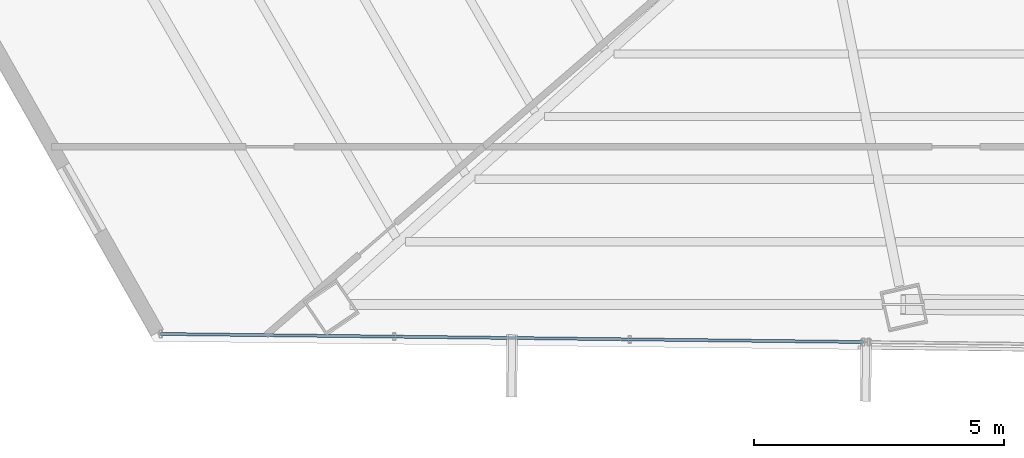
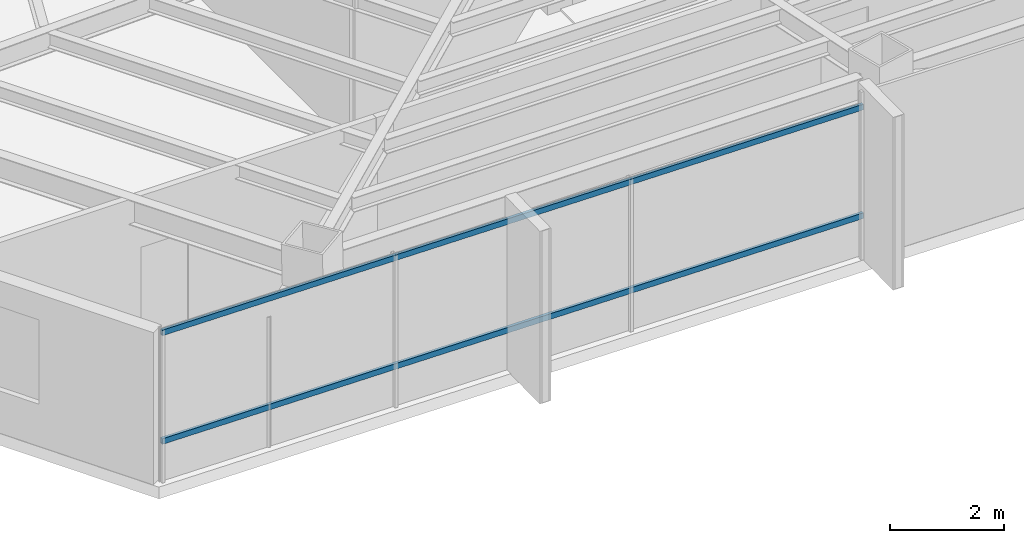
# One storey, part 4 of 40: 2 members, 1 element without a shape of its own.
"""IFC4 building model written with IfcOpenShell, lengths in metres."""

from ifc_helpers import new_model, si_unit, direction, frame, origin, origin_2d, place, context, subcontext, project, spatial, hollow_rectangle, extrude, source, transform, mapped, material, material_profile, profile_set, type_object, type_shapes, element, aggregate, save


model = new_model("IFC4")

# Units and contexts
model_context = context("Model", 3, precision=1e-05, world=origin(), true_north=direction((0.0, 1.0)))
body_context = subcontext(model_context, "Body", "Model", "MODEL_VIEW")
ifc_project = project(units=[si_unit("LENGTHUNIT", "METRE"), si_unit("AREAUNIT", "SQUARE_METRE"), si_unit("VOLUMEUNIT", "CUBIC_METRE"), si_unit("PLANEANGLEUNIT", "RADIAN"), si_unit("MASSUNIT", "GRAM", prefix="KILO")], contexts=[model_context])

# Site, building, storey
site_placement = place(None, origin())
site = spatial("IfcSite", under=ifc_project, at=site_placement, CompositionType="ELEMENT")
building_placement = place(site_placement, origin())
building = spatial("IfcBuilding", under=site, at=building_placement, Name="Caelisora Broadcast Tower", CompositionType="ELEMENT")
storey_placement = place(building_placement, frame((0.0, 0.0, 216.89990234375)))
storey = spatial("IfcBuildingStorey", under=building, at=storey_placement, Name="L57", CompositionType="ELEMENT", Elevation=216.89990234375)

# Curtain wall, members
ifc_material_1 = material(Name="Unitised Aluminium and Low-E Glass Curtain Wall", Category="glass")
curtain_wall_type = type_object("IfcCurtainWallType", Name="CW-Z4", PredefinedType="NOTDEFINED", material=ifc_material_1)
curtain_wall_placement = place(storey_placement, origin())
curtain_wall = element("IfcCurtainWall", 1, at=curtain_wall_placement, inside=storey, type_object=curtain_wall_type, Name="L57 curtain wall CW-Z4", PredefinedType="NOTDEFINED")
ifc_material_2 = material(Name="Aluminium 6063-T6 Anodised Terracotta Bronze", Category="aluminium")
ifc_material_profile = material_profile(ifc_material_2, hollow_rectangle(XDim=0.06005859375, YDim=0.1201171875, WallThickness=0.0029296875, at=origin_2d()), Name="Aluminium 6063-T6 Anodised Terracotta Bronze")
ifc_profile_set = profile_set([ifc_material_profile], Name="Aluminium 6063-T6 Anodised Terracotta Bronze")
member_type = type_object("IfcMemberType", Name="CWT-03", PredefinedType="USERDEFINED", material=ifc_profile_set)
shared_shape = source(origin(), body_context, "Body", "SweptSolid", [
    extrude(hollow_rectangle(XDim=0.06005859375, YDim=0.1201171875, WallThickness=0.0029296875, at=origin_2d()), origin(), (0.0, 0.0, 1.0), 14.068603515625),
])
type_shapes(member_type, [shared_shape])
member_1_placement = place(storey_placement, frame((31.459716796875, 7.87060546875, 0.85009765625), z_axis=(-0.999933810003, 0.011505460093, 0.0), x_axis=(-0.011505460093, -0.999933810003, 0.0)))
member_1 = element("IfcMember", 2, at=member_1_placement, type_object=member_type, Name="L57-CW-B07 transom #1", ObjectType="TRANSOM", PredefinedType="USERDEFINED", context=body_context, shape_type="MappedRepresentation", body=[
    mapped(shared_shape, transform((0.0, 0.0, 0.0), scale=1.0)),
])
member_2_placement = place(storey_placement, frame((31.459716796875, 7.87060546875, 3.170166015625), z_axis=(-0.999933810003, 0.011505460093, 0.0), x_axis=(-0.011505460093, -0.999933810003, 0.0)))
member_2 = element("IfcMember", 3, at=member_2_placement, type_object=member_type, Name="L57-CW-B07 transom #2", ObjectType="TRANSOM", PredefinedType="USERDEFINED", context=body_context, shape_type="MappedRepresentation", body=[
    mapped(shared_shape, transform((0.0, 0.0, 0.0), scale=1.0)),
])
aggregate(curtain_wall, [member_1, member_2])

save(model, "model.ifc")
